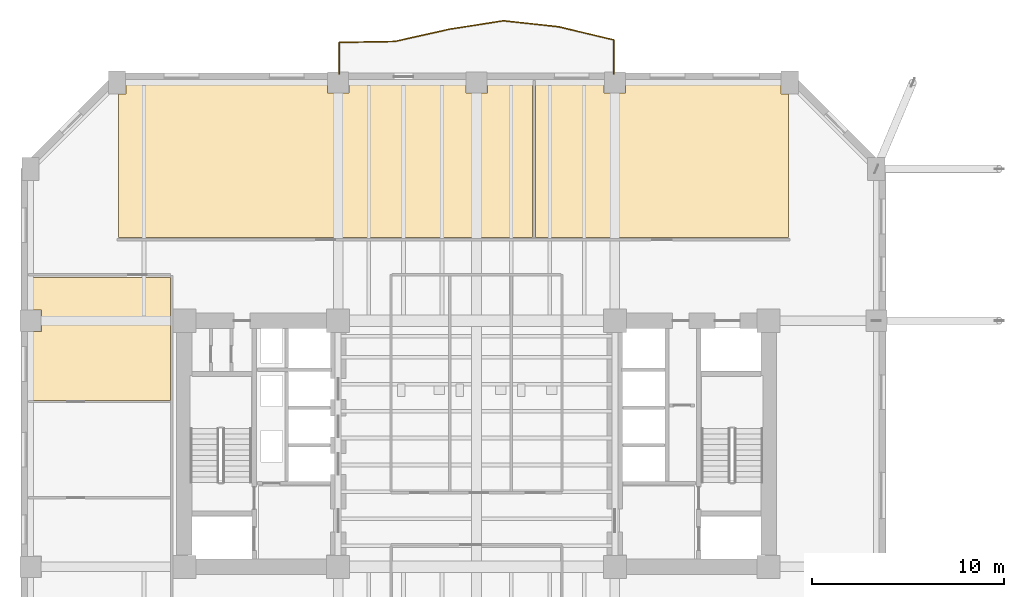
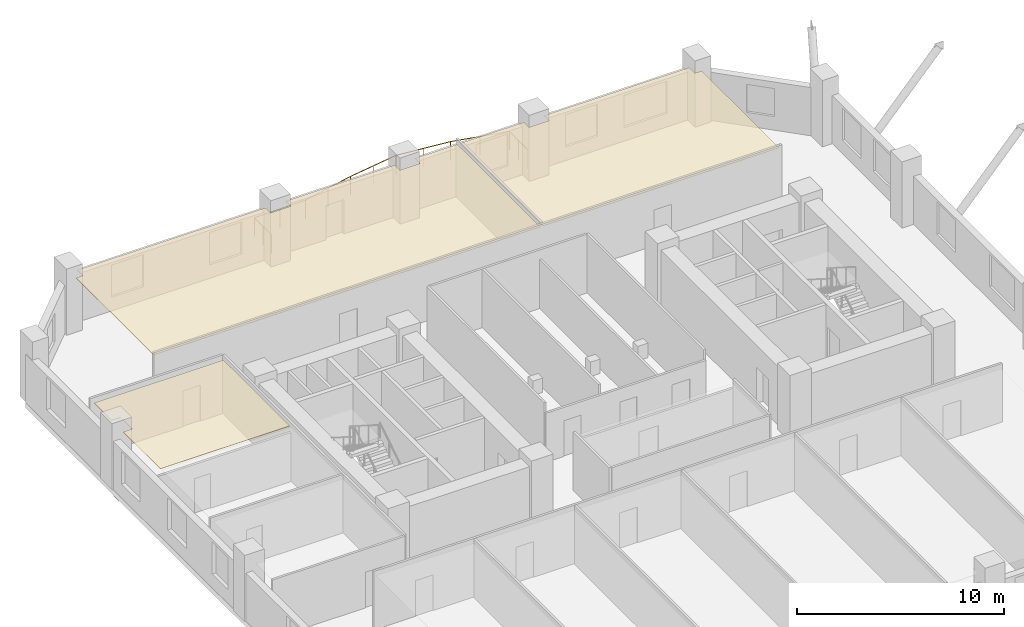
# One storey, part 12 of 13: 3 coverings, 1 railing.
"""IFC4 building model written with IfcOpenShell, lengths in metres."""

from ifc_helpers import new_model, si_unit, direction, frame, origin, origin_2d, place, context, subcontext, project, spatial, polyline, circle, outline, extrude, material, layer, layer_set, type_object, element, save


model = new_model("IFC4")

# Units and contexts
model_context = context("Model", 3, precision=1e-05, world=origin(), true_north=direction((0.0, 1.0)))
body_context = subcontext(model_context, "Body", "Model", "MODEL_VIEW")
ifc_project = project(units=[si_unit("LENGTHUNIT", "METRE"), si_unit("AREAUNIT", "SQUARE_METRE"), si_unit("VOLUMEUNIT", "CUBIC_METRE"), si_unit("PLANEANGLEUNIT", "RADIAN"), si_unit("MASSUNIT", "GRAM", prefix="KILO")], contexts=[model_context])

# Site, building, storey
site_placement = place(None, origin())
site = spatial("IfcSite", under=ifc_project, at=site_placement, CompositionType="ELEMENT")
building_placement = place(site_placement, origin())
building = spatial("IfcBuilding", under=site, at=building_placement, Name="Kranthara Brick Stack", CompositionType="ELEMENT")
storey_placement = place(building_placement, frame((0.0, 0.0, 43.800048828125)))
storey = spatial("IfcBuildingStorey", under=building, at=storey_placement, Name="L10", CompositionType="ELEMENT", Elevation=43.800048828125)

# Coverings
ifc_material_1 = material(Name="Perforated mineral-fibre acoustic ceiling tile", Category="other")
ifc_layer = layer(ifc_material_1, 0.02490234375)
ifc_layer_set = layer_set([ifc_layer], Name="Perforated mineral-fibre acoustic ceiling tile")
covering_type = type_object("IfcCoveringType", Name="COV-CEIL-ACOUSTIC", PredefinedType="CEILING", material=ifc_layer_set)
covering_1_placement = place(storey_placement, frame((0.0, 0.0, 3.179931640625)))
element("IfcCovering", 1, at=covering_1_placement, inside=storey, type_object=covering_type, Name="L10 L10 Open Plan Workspace 1 Acoustic Ceiling", PredefinedType="CEILING", context=body_context, shape_type="SweptSolid", body=[
    extrude(outline(polyline([(9.3798828125, 37.919921875), (9.3798828125, 45.389892578125), (9.760009765625, 45.389892578125), (9.760009765625, 45.929931640625), (20.239990234375, 45.929931640625), (20.239990234375, 45.43994140625), (21.360107421875, 45.43994140625), (21.360107421875, 45.929931640625), (27.43994140625, 45.929931640625), (27.43994140625, 45.43994140625), (28.56005859375, 45.43994140625), (28.56005859375, 45.929931640625), (30.919921875, 45.929931640625), (30.919921875, 37.919921875), (9.3798828125, 37.919921875)])), origin(), (0.0, 0.0, 1.0), 0.02490234375),
])
covering_2_placement = place(storey_placement, frame((0.0, 0.0, 3.179931640625)))
element("IfcCovering", 2, at=covering_2_placement, inside=storey, type_object=covering_type, Name="L10 L10 Staff Pantry 2 Acoustic Ceiling", PredefinedType="CEILING", context=body_context, shape_type="SweptSolid", body=[
    extrude(outline(polyline([(44.219970703125, 37.919921875), (31.080078125, 37.919921875), (31.080078125, 45.929931640625), (34.639892578125, 45.929931640625), (34.639892578125, 45.43994140625), (35.760009765625, 45.43994140625), (35.760009765625, 45.929931640625), (43.840087890625, 45.929931640625), (43.840087890625, 45.389892578125), (44.219970703125, 45.389892578125), (44.219970703125, 37.919921875)])), origin(), (0.0, 0.0, 1.0), 0.02490234375),
])
covering_3_placement = place(storey_placement, frame((0.0, 0.0, 3.179931640625)))
element("IfcCovering", 3, at=covering_3_placement, inside=storey, type_object=covering_type, Name="L10 L10 West Executive Office 3 Acoustic Ceiling", PredefinedType="CEILING", context=body_context, shape_type="SweptSolid", body=[
    extrude(outline(polyline([(4.8701171875, 35.860107421875), (12.080078125, 35.860107421875), (12.080078125, 29.4599609375), (4.8701171875, 29.4599609375), (4.8701171875, 33.0400390625), (5.360107421875, 33.0400390625), (5.360107421875, 34.159912109375), (4.8701171875, 34.159912109375), (4.8701171875, 35.860107421875)])), origin(), (0.0, 0.0, 1.0), 0.02490234375),
])

# Railing
ifc_material_2 = material(Name="Bronze anodised aluminium and laminated glass balustrade", Category="aluminium")
railing_type = type_object("IfcRailingType", Name="RL-BALC-1120", PredefinedType="BALUSTRADE", material=ifc_material_2)
railing_placement = place(storey_placement, frame((20.860107421875, 46.43994140625, 0.0)))
element("IfcRailing", 4, at=railing_placement, inside=storey, type_object=railing_type, Name="L10 North Rippling Balcony Balustrade", PredefinedType="BALUSTRADE", context=body_context, shape_type="SweptSolid", body=[
    extrude(circle(Radius=0.02392578125, at=origin_2d()), frame((0.0, 0.0, 1.09619140625), z_axis=(0.0, 1.0, 0.0), x_axis=(-1.0, 0.0, 0.0)), (0.0, 0.0, 1.0), 1.6435546875),
    extrude(circle(Radius=0.02392578125, at=origin_2d()), frame((0.0, 1.6435546875, 1.09619140625), z_axis=(0.999853408864, 0.017121938673, 0.0), x_axis=(-0.017121938673, 0.999853408864, 0.0)), (0.0, 0.0, 1.0), 2.88037109375),
    extrude(circle(Radius=0.02392578125, at=origin_2d()), frame((2.8798828125, 1.69287109375, 1.09619140625), z_axis=(0.975999372723, 0.217773332719, 0.0), x_axis=(-0.217773332719, 0.975999372723, 0.0)), (0.0, 0.0, 1.0), 2.94384765625),
    extrude(circle(Radius=0.02392578125, at=origin_2d()), frame((5.753173828125, 2.333984375, 1.09619140625), z_axis=(0.987979346542, 0.154585933404, 0.0), x_axis=(-0.154585933404, 0.987979346542, 0.0)), (0.0, 0.0, 1.0), 2.814453125),
    extrude(circle(Radius=0.02392578125, at=origin_2d()), frame((8.53369140625, 2.76904296875, 1.09619140625), z_axis=(0.994186493964, -0.107671793982, 0.0), x_axis=(0.107671793982, 0.994186493964, 0.0)), (0.0, 0.0, 1.0), 2.88427734375),
    extrude(circle(Radius=0.02392578125, at=origin_2d()), frame((11.401123046875, 2.45849609375, 1.09619140625), z_axis=(0.972813296182, -0.231590783003, 0.0), x_axis=(0.231590783003, 0.972813296182, 0.0)), (0.0, 0.0, 1.0), 2.959228515625),
    extrude(circle(Radius=0.02392578125, at=origin_2d()), frame((14.27978515625, 1.773193359375, 1.09619140625), z_axis=(0.0, -1.0, 0.0), x_axis=(1.0, 0.0, 0.0)), (0.0, 0.0, 1.0), 1.773193359375),
    extrude(circle(Radius=0.02099609375, at=origin_2d()), origin(), (0.0, 0.0, 1.0), 1.072021484375),
    extrude(circle(Radius=0.02099609375, at=origin_2d()), frame((0.0, 0.82177734375, 0.0)), (0.0, 0.0, 1.0), 1.072021484375),
    extrude(circle(Radius=0.02099609375, at=origin_2d()), frame((0.0, 1.6435546875, 0.0)), (0.0, 0.0, 1.0), 1.072021484375),
    extrude(circle(Radius=0.02099609375, at=origin_2d()), frame((1.43994140625, 1.668212890625, 0.0)), (0.0, 0.0, 1.0), 1.072021484375),
    extrude(circle(Radius=0.02099609375, at=origin_2d()), frame((2.8798828125, 1.69287109375, 0.0)), (0.0, 0.0, 1.0), 1.072021484375),
    extrude(circle(Radius=0.02099609375, at=origin_2d()), frame((4.31640625, 2.013427734375, 0.0)), (0.0, 0.0, 1.0), 1.072021484375),
    extrude(circle(Radius=0.02099609375, at=origin_2d()), frame((5.753173828125, 2.333984375, 0.0)), (0.0, 0.0, 1.0), 1.072021484375),
    extrude(circle(Radius=0.02099609375, at=origin_2d()), frame((7.1435546875, 2.551513671875, 0.0)), (0.0, 0.0, 1.0), 1.072021484375),
    extrude(circle(Radius=0.02099609375, at=origin_2d()), frame((8.53369140625, 2.76904296875, 0.0)), (0.0, 0.0, 1.0), 1.072021484375),
    extrude(circle(Radius=0.02099609375, at=origin_2d()), frame((9.96728515625, 2.61376953125, 0.0)), (0.0, 0.0, 1.0), 1.072021484375),
    extrude(circle(Radius=0.02099609375, at=origin_2d()), frame((11.401123046875, 2.45849609375, 0.0)), (0.0, 0.0, 1.0), 1.072021484375),
    extrude(circle(Radius=0.02099609375, at=origin_2d()), frame((12.84033203125, 2.11572265625, 0.0)), (0.0, 0.0, 1.0), 1.072021484375),
    extrude(circle(Radius=0.02099609375, at=origin_2d()), frame((14.27978515625, 1.773193359375, 0.0)), (0.0, 0.0, 1.0), 1.072021484375),
    extrude(circle(Radius=0.02099609375, at=origin_2d()), frame((14.27978515625, 0.88671875, 0.0)), (0.0, 0.0, 1.0), 1.072021484375),
    extrude(circle(Radius=0.02099609375, at=origin_2d()), frame((14.27978515625, 0.0, 0.0)), (0.0, 0.0, 1.0), 1.072021484375),
])

save(model, "model.ifc")
